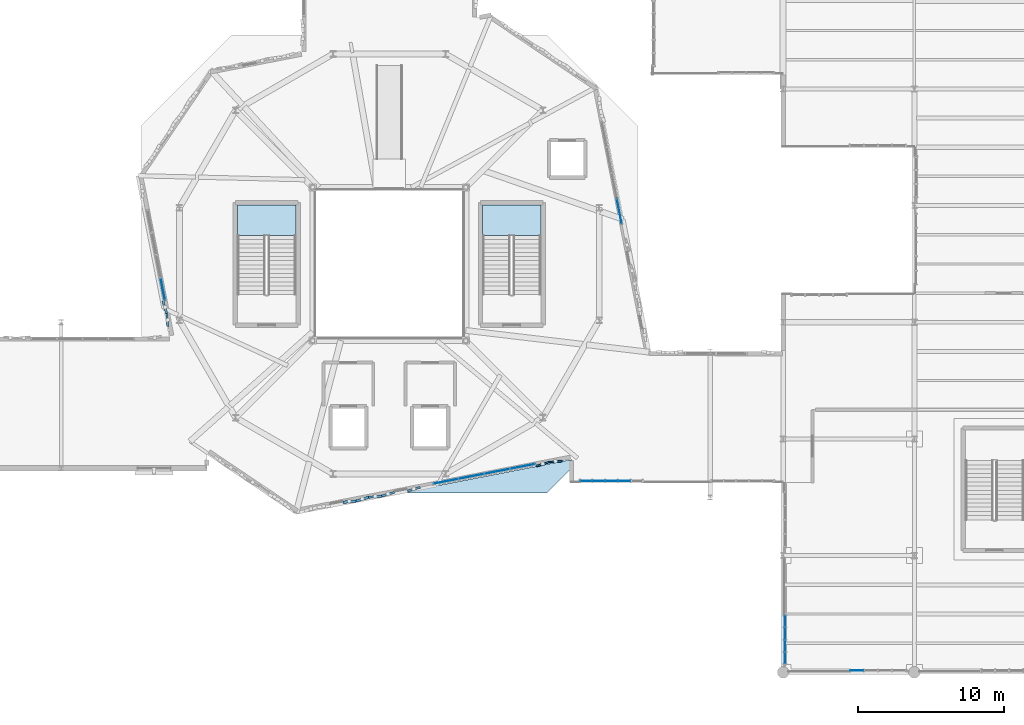
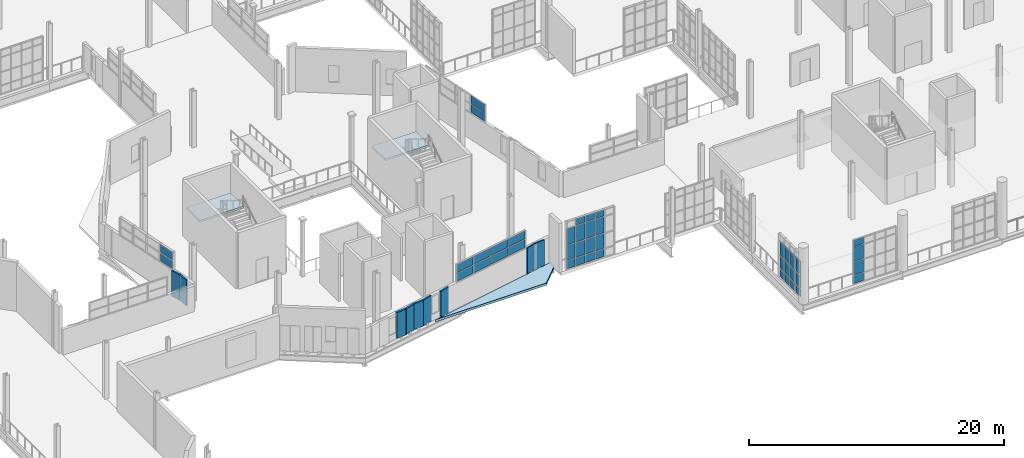
# One storey, part 105 of 142: 52 plates, 3 slabs, 8 elements without a shape of their own.
"""IFC4 building model written with IfcOpenShell, lengths in metres."""

from ifc_helpers import new_model, si_unit, direction, frame, frame_2d, origin, origin_2d, place, context, subcontext, project, spatial, polyline, rectangle, outline, extrude, material, layer, layer_set, type_object, element, aggregate, save


model = new_model("IFC4")

# Units and contexts
model_context = context("Model", 3, precision=1e-05, world=origin(), true_north=direction((0.0, 1.0)))
body_context = subcontext(model_context, "Body", "Model", "MODEL_VIEW")
ifc_project = project(units=[si_unit("LENGTHUNIT", "METRE"), si_unit("AREAUNIT", "SQUARE_METRE"), si_unit("VOLUMEUNIT", "CUBIC_METRE"), si_unit("PLANEANGLEUNIT", "RADIAN"), si_unit("MASSUNIT", "GRAM", prefix="KILO"), si_unit("THERMODYNAMICTEMPERATUREUNIT", "KELVIN"), si_unit("POWERUNIT", "WATT")], contexts=[model_context])

# Site, building, storey
site_placement = place(None, origin())
site = spatial("IfcSite", under=ifc_project, at=site_placement, CompositionType="ELEMENT")
building_placement = place(site_placement, origin())
building = spatial("IfcBuilding", under=site, at=building_placement, Name="Zelmaris Science Centre", CompositionType="ELEMENT")
storey_placement = place(building_placement, frame((0.0, 0.0, 5.39990234375)))
storey = spatial("IfcBuildingStorey", under=building, at=storey_placement, Name="L01", CompositionType="ELEMENT", Elevation=5.39990234375)

# Curtain wall, plates
ifc_material_1 = material(Name="Anodised architectural aluminium 6063-T6", Category="aluminium")
ifc_layer_1 = layer(ifc_material_1, 0.18994140625, Name="Anodised architectural aluminium 6063-T6")
ifc_layer_set_1 = layer_set([ifc_layer_1], Name="Anodised architectural aluminium 6063-T6")
curtain_wall_type_1 = type_object("IfcCurtainWallType", Name="Curtain Wall CW-01", PredefinedType="USERDEFINED", material=ifc_layer_set_1)
curtain_wall_1_placement = place(storey_placement, origin())
curtain_wall_1 = element("IfcCurtainWall", 1, at=curtain_wall_1_placement, inside=storey, type_object=curtain_wall_type_1, Name="L01 Unitised curtain wall 169", ObjectType="GLAZED CURTAIN WALL", PredefinedType="USERDEFINED")
ifc_material_2 = material(Name="Laminated hurricane-rated low-E insulated glazing", Category="glass")
ifc_layer_2 = layer(ifc_material_2, 0.031982421875, Name="Laminated hurricane-rated low-E insulated glazing")
ifc_layer_set_2 = layer_set([ifc_layer_2], Name="Laminated hurricane-rated low-E insulated glazing")
plate_type_1 = type_object("IfcPlateType", Name="Curtain Glazing Panel CWP-1 32mm", PredefinedType="CURTAIN_PANEL", material=ifc_layer_set_2)
plate_1_placement = place(storey_placement, frame((108.1201171875, 8.983154296875, 0.05712890625), z_axis=(0.0, 0.0, 1.0), x_axis=(-2.9412638e-05, 0.999999999567, 0.0)))
plate_1 = element("IfcPlate", 2, at=plate_1_placement, type_object=plate_type_1, Name="CW-01 panel 1.1", PredefinedType="CURTAIN_PANEL", context=body_context, shape_type="SweptSolid", body=[
    extrude(rectangle(XDim=0.741943359375, YDim=0.031982421875, at=origin_2d()), origin(), (0.0, 0.0, 1.0), 0.741943359375),
])
plate_2_placement = place(storey_placement, frame((108.1201171875, 8.983154296875, 0.87109375), z_axis=(0.0, 0.0, 1.0), x_axis=(-2.9412638e-05, 0.999999999567, 0.0)))
plate_2 = element("IfcPlate", 3, at=plate_2_placement, type_object=plate_type_1, Name="CW-01 panel 1.2", PredefinedType="CURTAIN_PANEL", context=body_context, shape_type="SweptSolid", body=[
    extrude(rectangle(XDim=0.741943359375, YDim=0.031982421875, at=origin_2d()), origin(), (0.0, 0.0, 1.0), 1.178466796875),
])
plate_3_placement = place(storey_placement, frame((108.1201171875, 8.983154296875, 2.12158203125), z_axis=(0.0, 0.0, 1.0), x_axis=(-2.9412638e-05, 0.999999999567, 0.0)))
plate_3 = element("IfcPlate", 4, at=plate_3_placement, type_object=plate_type_1, Name="CW-01 panel 1.3", PredefinedType="CURTAIN_PANEL", context=body_context, shape_type="SweptSolid", body=[
    extrude(rectangle(XDim=0.741943359375, YDim=0.031982421875, at=origin_2d()), origin(), (0.0, 0.0, 1.0), 1.32861328125),
])
plate_4_placement = place(storey_placement, frame((108.1201171875, 9.81494140625, 0.05712890625), z_axis=(0.0, 0.0, 1.0), x_axis=(-2.9412638e-05, 0.999999999567, 0.0)))
plate_4 = element("IfcPlate", 5, at=plate_4_placement, type_object=plate_type_1, Name="CW-01 panel 2.1", PredefinedType="CURTAIN_PANEL", context=body_context, shape_type="SweptSolid", body=[
    extrude(rectangle(XDim=0.778076171875, YDim=0.031982421875, at=origin_2d()), origin(), (0.0, 0.0, 1.0), 0.741943359375),
])
plate_5_placement = place(storey_placement, frame((108.1201171875, 9.81494140625, 0.87109375), z_axis=(0.0, 0.0, 1.0), x_axis=(-2.9412638e-05, 0.999999999567, 0.0)))
plate_5 = element("IfcPlate", 6, at=plate_5_placement, type_object=plate_type_1, Name="CW-01 panel 2.2", PredefinedType="CURTAIN_PANEL", context=body_context, shape_type="SweptSolid", body=[
    extrude(rectangle(XDim=0.778076171875, YDim=0.031982421875, at=origin_2d()), origin(), (0.0, 0.0, 1.0), 1.178466796875),
])
plate_6_placement = place(storey_placement, frame((108.1201171875, 9.81494140625, 2.12158203125), z_axis=(0.0, 0.0, 1.0), x_axis=(-2.9412638e-05, 0.999999999567, 0.0)))
plate_6 = element("IfcPlate", 7, at=plate_6_placement, type_object=plate_type_1, Name="CW-01 panel 2.3", PredefinedType="CURTAIN_PANEL", context=body_context, shape_type="SweptSolid", body=[
    extrude(rectangle(XDim=0.778076171875, YDim=0.031982421875, at=origin_2d()), origin(), (0.0, 0.0, 1.0), 1.32861328125),
])
plate_7_placement = place(storey_placement, frame((108.1201171875, 10.6650390625, 0.05712890625), z_axis=(0.0, 0.0, 1.0), x_axis=(-2.9412638e-05, 0.999999999567, 0.0)))
plate_7 = element("IfcPlate", 8, at=plate_7_placement, type_object=plate_type_1, Name="CW-01 panel 3.1", PredefinedType="CURTAIN_PANEL", context=body_context, shape_type="SweptSolid", body=[
    extrude(rectangle(XDim=0.778076171875, YDim=0.031982421875, at=origin_2d()), origin(), (0.0, 0.0, 1.0), 0.741943359375),
])
plate_8_placement = place(storey_placement, frame((108.1201171875, 10.6650390625, 0.87109375), z_axis=(0.0, 0.0, 1.0), x_axis=(-2.9412638e-05, 0.999999999567, 0.0)))
plate_8 = element("IfcPlate", 9, at=plate_8_placement, type_object=plate_type_1, Name="CW-01 panel 3.2", PredefinedType="CURTAIN_PANEL", context=body_context, shape_type="SweptSolid", body=[
    extrude(rectangle(XDim=0.778076171875, YDim=0.031982421875, at=origin_2d()), origin(), (0.0, 0.0, 1.0), 1.178466796875),
])
plate_9_placement = place(storey_placement, frame((108.1201171875, 10.6650390625, 2.12158203125), z_axis=(0.0, 0.0, 1.0), x_axis=(-2.9412638e-05, 0.999999999567, 0.0)))
plate_9 = element("IfcPlate", 10, at=plate_9_placement, type_object=plate_type_1, Name="CW-01 panel 3.3", PredefinedType="CURTAIN_PANEL", context=body_context, shape_type="SweptSolid", body=[
    extrude(rectangle(XDim=0.778076171875, YDim=0.031982421875, at=origin_2d()), origin(), (0.0, 0.0, 1.0), 1.32861328125),
])
plate_10_placement = place(storey_placement, frame((108.1201171875, 11.4970703125, 0.05712890625), z_axis=(0.0, 0.0, 1.0), x_axis=(-2.9412638e-05, 0.999999999567, 0.0)))
plate_10 = element("IfcPlate", 11, at=plate_10_placement, type_object=plate_type_1, Name="CW-01 panel 4.1", PredefinedType="CURTAIN_PANEL", context=body_context, shape_type="SweptSolid", body=[
    extrude(rectangle(XDim=0.741943359375, YDim=0.031982421875, at=origin_2d()), origin(), (0.0, 0.0, 1.0), 0.741943359375),
])
plate_11_placement = place(storey_placement, frame((108.1201171875, 11.4970703125, 0.87109375), z_axis=(0.0, 0.0, 1.0), x_axis=(-2.9412638e-05, 0.999999999567, 0.0)))
plate_11 = element("IfcPlate", 12, at=plate_11_placement, type_object=plate_type_1, Name="CW-01 panel 4.2", PredefinedType="CURTAIN_PANEL", context=body_context, shape_type="SweptSolid", body=[
    extrude(rectangle(XDim=0.741943359375, YDim=0.031982421875, at=origin_2d()), origin(), (0.0, 0.0, 1.0), 1.178466796875),
])
plate_12_placement = place(storey_placement, frame((108.1201171875, 11.4970703125, 2.12158203125), z_axis=(0.0, 0.0, 1.0), x_axis=(-2.9412638e-05, 0.999999999567, 0.0)))
plate_12 = element("IfcPlate", 13, at=plate_12_placement, type_object=plate_type_1, Name="CW-01 panel 4.3", PredefinedType="CURTAIN_PANEL", context=body_context, shape_type="SweptSolid", body=[
    extrude(rectangle(XDim=0.741943359375, YDim=0.031982421875, at=origin_2d()), origin(), (0.0, 0.0, 1.0), 1.32861328125),
])
aggregate(curtain_wall_1, [plate_1, plate_2, plate_3, plate_4, plate_5, plate_6, plate_7, plate_8, plate_9, plate_10, plate_11, plate_12])

curtain_wall_2_placement = place(storey_placement, origin())
curtain_wall_2 = element("IfcCurtainWall", 14, at=curtain_wall_2_placement, inside=storey, type_object=curtain_wall_type_1, Name="L01 Clerestory curtain wall 193", ObjectType="GLAZED CURTAIN WALL", PredefinedType="USERDEFINED")
plate_13_placement = place(storey_placement, frame((65.4765625, 34.258544921875, 2.4921875), z_axis=(0.0, 0.0, 1.0), x_axis=(-0.190802783202, 0.981628390952, 0.0)))
plate_13 = element("IfcPlate", 15, at=plate_13_placement, type_object=plate_type_1, Name="CW-01 panel 1.1", PredefinedType="CURTAIN_PANEL", context=body_context, shape_type="SweptSolid", body=[
    extrude(rectangle(XDim=1.4873046875, YDim=0.031982421875, at=origin_2d()), origin(), (0.0, 0.0, 1.0), 0.763916015625),
])
plate_14_placement = place(storey_placement, frame((65.4765625, 34.258544921875, 3.328125), z_axis=(0.0, 0.0, 1.0), x_axis=(-0.190802783202, 0.981628390952, 0.0)))
plate_14 = element("IfcPlate", 16, at=plate_14_placement, type_object=plate_type_1, Name="CW-01 panel 1.2", PredefinedType="CURTAIN_PANEL", context=body_context, shape_type="SweptSolid", body=[
    extrude(rectangle(XDim=1.4873046875, YDim=0.031982421875, at=origin_2d()), origin(), (0.0, 0.0, 1.0), 0.763916015625),
])
aggregate(curtain_wall_2, [plate_13, plate_14])

ifc_layer_3 = layer(ifc_material_1, 0.199951171875, Name="Anodised architectural aluminium 6063-T6")
ifc_layer_set_3 = layer_set([ifc_layer_3], Name="Anodised architectural aluminium 6063-T6")
curtain_wall_type_2 = type_object("IfcCurtainWallType", Name="Curtain Wall CW-02", PredefinedType="USERDEFINED", material=ifc_layer_set_3)
curtain_wall_3_placement = place(storey_placement, origin())
curtain_wall_3 = element("IfcCurtainWall", 17, at=curtain_wall_3_placement, inside=storey, type_object=curtain_wall_type_2, Name="L01 Unitised curtain wall 174", ObjectType="GLAZED CURTAIN WALL", PredefinedType="USERDEFINED")
ifc_layer_4 = layer(ifc_material_2, 0.028076171875, Name="Laminated hurricane-rated low-E insulated glazing")
ifc_layer_set_4 = layer_set([ifc_layer_4], Name="Laminated hurricane-rated low-E insulated glazing")
plate_type_2 = type_object("IfcPlateType", Name="Curtain Glazing Panel CWP-2 28mm", PredefinedType="CURTAIN_PANEL", material=ifc_layer_set_4)
plate_15_placement = place(storey_placement, frame((97.106689453125, 21.118896484375, 0.052001953125), z_axis=(0.0, 0.0, 1.0), x_axis=(-0.999999948938, 0.00031956903, 0.0)))
plate_15 = element("IfcPlate", 18, at=plate_15_placement, type_object=plate_type_2, Name="CW-02 panel 2.1", PredefinedType="CURTAIN_PANEL", context=body_context, shape_type="SweptSolid", body=[
    extrude(rectangle(XDim=0.80908203125, YDim=0.028076171875, at=origin_2d()), origin(), (0.0, 0.0, 1.0), 0.74951171875),
])
plate_16_placement = place(storey_placement, frame((97.106689453125, 21.118896484375, 0.86865234375), z_axis=(0.0, 0.0, 1.0), x_axis=(-0.999999948938, 0.00031956903, 0.0)))
plate_16 = element("IfcPlate", 19, at=plate_16_placement, type_object=plate_type_2, Name="CW-02 panel 2.2", PredefinedType="CURTAIN_PANEL", context=body_context, shape_type="SweptSolid", body=[
    extrude(rectangle(XDim=0.80908203125, YDim=0.028076171875, at=origin_2d()), origin(), (0.0, 0.0, 1.0), 1.400390625),
])
plate_17_placement = place(storey_placement, frame((97.106689453125, 21.118896484375, 2.3359375), z_axis=(0.0, 0.0, 1.0), x_axis=(-0.999999948938, 0.00031956903, 0.0)))
plate_17 = element("IfcPlate", 20, at=plate_17_placement, type_object=plate_type_2, Name="CW-02 panel 2.3", PredefinedType="CURTAIN_PANEL", context=body_context, shape_type="SweptSolid", body=[
    extrude(rectangle(XDim=0.80908203125, YDim=0.028076171875, at=origin_2d()), origin(), (0.0, 0.0, 1.0), 1.550537109375),
])
plate_18_placement = place(storey_placement, frame((97.106689453125, 21.118896484375, 3.95361328125), z_axis=(0.0, 0.0, 1.0), x_axis=(-0.999999948938, 0.00031956903, 0.0)))
plate_18 = element("IfcPlate", 21, at=plate_18_placement, type_object=plate_type_2, Name="CW-02 panel 2.4", PredefinedType="CURTAIN_PANEL", context=body_context, shape_type="SweptSolid", body=[
    extrude(rectangle(XDim=0.80908203125, YDim=0.028076171875, at=origin_2d()), origin(), (0.0, 0.0, 1.0), 0.599609375),
])
plate_19_placement = place(storey_placement, frame((96.23046875, 21.119140625, 0.052001953125), z_axis=(0.0, 0.0, 1.0), x_axis=(-0.999999948938, 0.00031956903, 0.0)))
plate_19 = element("IfcPlate", 22, at=plate_19_placement, type_object=plate_type_2, Name="CW-02 panel 3.1", PredefinedType="CURTAIN_PANEL", context=body_context, shape_type="SweptSolid", body=[
    extrude(rectangle(XDim=0.80908203125, YDim=0.028076171875, at=origin_2d()), origin(), (0.0, 0.0, 1.0), 0.74951171875),
])
plate_20_placement = place(storey_placement, frame((96.23046875, 21.119140625, 0.86865234375), z_axis=(0.0, 0.0, 1.0), x_axis=(-0.999999948938, 0.00031956903, 0.0)))
plate_20 = element("IfcPlate", 23, at=plate_20_placement, type_object=plate_type_2, Name="CW-02 panel 3.2", PredefinedType="CURTAIN_PANEL", context=body_context, shape_type="SweptSolid", body=[
    extrude(rectangle(XDim=0.80908203125, YDim=0.028076171875, at=origin_2d()), origin(), (0.0, 0.0, 1.0), 1.400390625),
])
plate_21_placement = place(storey_placement, frame((96.23046875, 21.119140625, 2.3359375), z_axis=(0.0, 0.0, 1.0), x_axis=(-0.999999948938, 0.00031956903, 0.0)))
plate_21 = element("IfcPlate", 24, at=plate_21_placement, type_object=plate_type_2, Name="CW-02 panel 3.3", PredefinedType="CURTAIN_PANEL", context=body_context, shape_type="SweptSolid", body=[
    extrude(rectangle(XDim=0.80908203125, YDim=0.028076171875, at=origin_2d()), origin(), (0.0, 0.0, 1.0), 1.550537109375),
])
plate_22_placement = place(storey_placement, frame((96.23046875, 21.119140625, 3.95361328125), z_axis=(0.0, 0.0, 1.0), x_axis=(-0.999999948938, 0.00031956903, 0.0)))
plate_22 = element("IfcPlate", 25, at=plate_22_placement, type_object=plate_type_2, Name="CW-02 panel 3.4", PredefinedType="CURTAIN_PANEL", context=body_context, shape_type="SweptSolid", body=[
    extrude(rectangle(XDim=0.80908203125, YDim=0.028076171875, at=origin_2d()), origin(), (0.0, 0.0, 1.0), 0.599609375),
])
plate_23_placement = place(storey_placement, frame((95.354248046875, 21.119384765625, 0.052001953125), z_axis=(0.0, 0.0, 1.0), x_axis=(-0.999999948938, 0.00031956903, 0.0)))
plate_23 = element("IfcPlate", 26, at=plate_23_placement, type_object=plate_type_2, Name="CW-02 panel 4.1", PredefinedType="CURTAIN_PANEL", context=body_context, shape_type="SweptSolid", body=[
    extrude(rectangle(XDim=0.80908203125, YDim=0.028076171875, at=origin_2d()), origin(), (0.0, 0.0, 1.0), 0.74951171875),
])
plate_24_placement = place(storey_placement, frame((95.354248046875, 21.119384765625, 0.86865234375), z_axis=(0.0, 0.0, 1.0), x_axis=(-0.999999948938, 0.00031956903, 0.0)))
plate_24 = element("IfcPlate", 27, at=plate_24_placement, type_object=plate_type_2, Name="CW-02 panel 4.2", PredefinedType="CURTAIN_PANEL", context=body_context, shape_type="SweptSolid", body=[
    extrude(rectangle(XDim=0.80908203125, YDim=0.028076171875, at=origin_2d()), origin(), (0.0, 0.0, 1.0), 1.400390625),
])
plate_25_placement = place(storey_placement, frame((95.354248046875, 21.119384765625, 2.3359375), z_axis=(0.0, 0.0, 1.0), x_axis=(-0.999999948938, 0.00031956903, 0.0)))
plate_25 = element("IfcPlate", 28, at=plate_25_placement, type_object=plate_type_2, Name="CW-02 panel 4.3", PredefinedType="CURTAIN_PANEL", context=body_context, shape_type="SweptSolid", body=[
    extrude(rectangle(XDim=0.80908203125, YDim=0.028076171875, at=origin_2d()), origin(), (0.0, 0.0, 1.0), 1.550537109375),
])
plate_26_placement = place(storey_placement, frame((95.354248046875, 21.119384765625, 3.95361328125), z_axis=(0.0, 0.0, 1.0), x_axis=(-0.999999948938, 0.00031956903, 0.0)))
plate_26 = element("IfcPlate", 29, at=plate_26_placement, type_object=plate_type_2, Name="CW-02 panel 4.4", PredefinedType="CURTAIN_PANEL", context=body_context, shape_type="SweptSolid", body=[
    extrude(rectangle(XDim=0.80908203125, YDim=0.028076171875, at=origin_2d()), origin(), (0.0, 0.0, 1.0), 0.599609375),
])
plate_27_placement = place(storey_placement, frame((94.494873046875, 21.119873046875, 0.052001953125), z_axis=(0.0, 0.0, 1.0), x_axis=(-0.999999948938, 0.00031956903, 0.0)))
plate_27 = element("IfcPlate", 30, at=plate_27_placement, type_object=plate_type_2, Name="CW-02 panel 5.1", PredefinedType="CURTAIN_PANEL", context=body_context, shape_type="SweptSolid", body=[
    extrude(rectangle(XDim=0.775634765625, YDim=0.028076171875, at=origin_2d()), origin(), (0.0, 0.0, 1.0), 0.74951171875),
])
plate_28_placement = place(storey_placement, frame((94.494873046875, 21.119873046875, 0.86865234375), z_axis=(0.0, 0.0, 1.0), x_axis=(-0.999999948938, 0.00031956903, 0.0)))
plate_28 = element("IfcPlate", 31, at=plate_28_placement, type_object=plate_type_2, Name="CW-02 panel 5.2", PredefinedType="CURTAIN_PANEL", context=body_context, shape_type="SweptSolid", body=[
    extrude(rectangle(XDim=0.775634765625, YDim=0.028076171875, at=origin_2d()), origin(), (0.0, 0.0, 1.0), 1.400390625),
])
plate_29_placement = place(storey_placement, frame((94.494873046875, 21.119873046875, 2.3359375), z_axis=(0.0, 0.0, 1.0), x_axis=(-0.999999948938, 0.00031956903, 0.0)))
plate_29 = element("IfcPlate", 32, at=plate_29_placement, type_object=plate_type_2, Name="CW-02 panel 5.3", PredefinedType="CURTAIN_PANEL", context=body_context, shape_type="SweptSolid", body=[
    extrude(rectangle(XDim=0.775634765625, YDim=0.028076171875, at=origin_2d()), origin(), (0.0, 0.0, 1.0), 1.550537109375),
])
aggregate(curtain_wall_3, [plate_15, plate_16, plate_17, plate_18, plate_19, plate_20, plate_21, plate_22, plate_23, plate_24, plate_25, plate_26, plate_27, plate_28, plate_29])

ifc_layer_5 = layer(ifc_material_1, 0.2099609375, Name="Anodised architectural aluminium 6063-T6")
ifc_layer_set_5 = layer_set([ifc_layer_5], Name="Anodised architectural aluminium 6063-T6")
curtain_wall_type_3 = type_object("IfcCurtainWallType", Name="Curtain Wall CW-03", PredefinedType="USERDEFINED", material=ifc_layer_set_5)
curtain_wall_4_placement = place(storey_placement, origin())
curtain_wall_4 = element("IfcCurtainWall", 33, at=curtain_wall_4_placement, inside=storey, type_object=curtain_wall_type_3, Name="L01 Unitised curtain wall 167", ObjectType="GLAZED CURTAIN WALL", PredefinedType="USERDEFINED")
ifc_layer_6 = layer(ifc_material_2, 0.02587890625, Name="Laminated hurricane-rated low-E insulated glazing")
ifc_layer_set_6 = layer_set([ifc_layer_6], Name="Laminated hurricane-rated low-E insulated glazing")
plate_type_3 = type_object("IfcPlateType", Name="Curtain Glazing Panel CWP-3 26mm", PredefinedType="CURTAIN_PANEL", material=ifc_layer_set_6)
plate_30_placement = place(storey_placement, frame((113.061767578125, 8.1201171875, 0.0419921875), z_axis=(0.0, 0.0, 1.0), x_axis=(-1.0, 0.0, 0.0)))
plate_30 = element("IfcPlate", 34, at=plate_30_placement, type_object=plate_type_3, Name="CW-03 panel 4.1", PredefinedType="CURTAIN_PANEL", context=body_context, shape_type="SweptSolid", body=[
    extrude(rectangle(XDim=0.889404296875, YDim=0.02587890625, at=origin_2d()), origin(), (0.0, 0.0, 1.0), 0.764404296875),
])
plate_31_placement = place(storey_placement, frame((113.061767578125, 8.1201171875, 0.86376953125), z_axis=(0.0, 0.0, 1.0), x_axis=(-1.0, 0.0, 0.0)))
plate_31 = element("IfcPlate", 35, at=plate_31_placement, type_object=plate_type_3, Name="CW-03 panel 4.2", PredefinedType="CURTAIN_PANEL", context=body_context, shape_type="SweptSolid", body=[
    extrude(rectangle(XDim=0.889404296875, YDim=0.02587890625, at=origin_2d()), origin(), (0.0, 0.0, 1.0), 1.223388671875),
])
plate_32_placement = place(storey_placement, frame((113.061767578125, 8.1201171875, 2.14404296875), z_axis=(0.0, 0.0, 1.0), x_axis=(-1.0, 0.0, 0.0)))
plate_32 = element("IfcPlate", 36, at=plate_32_placement, type_object=plate_type_3, Name="CW-03 panel 4.3", PredefinedType="CURTAIN_PANEL", context=body_context, shape_type="SweptSolid", body=[
    extrude(rectangle(XDim=0.889404296875, YDim=0.02587890625, at=origin_2d()), origin(), (0.0, 0.0, 1.0), 1.37353515625),
])
plate_33_placement = place(storey_placement, frame((113.061767578125, 8.1201171875, 3.57470703125), z_axis=(0.0, 0.0, 1.0), x_axis=(-1.0, 0.0, 0.0)))
plate_33 = element("IfcPlate", 37, at=plate_33_placement, type_object=plate_type_3, Name="CW-03 panel 4.4", PredefinedType="CURTAIN_PANEL", context=body_context, shape_type="SweptSolid", body=[
    extrude(rectangle(XDim=0.889404296875, YDim=0.02587890625, at=origin_2d()), origin(), (0.0, 0.0, 1.0), 0.614501953125),
])
aggregate(curtain_wall_4, [plate_30, plate_31, plate_32, plate_33])

curtain_wall_5_placement = place(storey_placement, origin())
curtain_wall_5 = element("IfcCurtainWall", 38, at=curtain_wall_5_placement, inside=storey, type_object=curtain_wall_type_3, Name="L01 Clerestory curtain wall 175", ObjectType="GLAZED CURTAIN WALL", PredefinedType="USERDEFINED")
plate_34_placement = place(storey_placement, frame((90.150390625, 22.11865234375, 2.47705078125), z_axis=(0.0, 0.0, 1.0), x_axis=(-0.981630500843, -0.190791928065, 0.0)))
plate_34 = element("IfcPlate", 39, at=plate_34_placement, type_object=plate_type_3, Name="CW-03 panel 1.1", PredefinedType="CURTAIN_PANEL", context=body_context, shape_type="SweptSolid", body=[
    extrude(rectangle(XDim=1.714599609375, YDim=0.02587890625, at=origin_2d()), origin(), (0.0, 0.0, 1.0), 0.781494140625),
])
plate_35_placement = place(storey_placement, frame((90.150390625, 22.11865234375, 3.3154296875), z_axis=(0.0, 0.0, 1.0), x_axis=(-0.981630500843, -0.190791928065, 0.0)))
plate_35 = element("IfcPlate", 40, at=plate_35_placement, type_object=plate_type_3, Name="CW-03 panel 1.2", PredefinedType="CURTAIN_PANEL", context=body_context, shape_type="SweptSolid", body=[
    extrude(rectangle(XDim=1.714599609375, YDim=0.02587890625, at=origin_2d()), origin(), (0.0, 0.0, 1.0), 0.781494140625),
])
plate_36_placement = place(storey_placement, frame((88.3974609375, 21.77783203125, 2.47705078125), z_axis=(0.0, 0.0, 1.0), x_axis=(-0.981630500843, -0.190791928065, 0.0)))
plate_36 = element("IfcPlate", 41, at=plate_36_placement, type_object=plate_type_3, Name="CW-03 panel 2.1", PredefinedType="CURTAIN_PANEL", context=body_context, shape_type="SweptSolid", body=[
    extrude(rectangle(XDim=1.742919921875, YDim=0.02587890625, at=origin_2d()), origin(), (0.0, 0.0, 1.0), 0.781494140625),
])
plate_37_placement = place(storey_placement, frame((88.3974609375, 21.77783203125, 3.3154296875), z_axis=(0.0, 0.0, 1.0), x_axis=(-0.981630500843, -0.190791928065, 0.0)))
plate_37 = element("IfcPlate", 42, at=plate_37_placement, type_object=plate_type_3, Name="CW-03 panel 2.2", PredefinedType="CURTAIN_PANEL", context=body_context, shape_type="SweptSolid", body=[
    extrude(rectangle(XDim=1.742919921875, YDim=0.02587890625, at=origin_2d()), origin(), (0.0, 0.0, 1.0), 0.781494140625),
])
plate_38_placement = place(storey_placement, frame((86.630615234375, 21.434326171875, 2.47705078125), z_axis=(0.0, 0.0, 1.0), x_axis=(-0.981630500843, -0.190791928065, 0.0)))
plate_38 = element("IfcPlate", 43, at=plate_38_placement, type_object=plate_type_3, Name="CW-03 panel 3.1", PredefinedType="CURTAIN_PANEL", context=body_context, shape_type="SweptSolid", body=[
    extrude(rectangle(XDim=1.742919921875, YDim=0.02587890625, at=origin_2d()), origin(), (0.0, 0.0, 1.0), 0.781494140625),
])
plate_39_placement = place(storey_placement, frame((86.630615234375, 21.434326171875, 3.3154296875), z_axis=(0.0, 0.0, 1.0), x_axis=(-0.981630500843, -0.190791928065, 0.0)))
plate_39 = element("IfcPlate", 44, at=plate_39_placement, type_object=plate_type_3, Name="CW-03 panel 3.2", PredefinedType="CURTAIN_PANEL", context=body_context, shape_type="SweptSolid", body=[
    extrude(rectangle(XDim=1.742919921875, YDim=0.02587890625, at=origin_2d()), origin(), (0.0, 0.0, 1.0), 0.781494140625),
])
plate_40_placement = place(storey_placement, frame((84.877685546875, 21.09375, 2.47705078125), z_axis=(0.0, 0.0, 1.0), x_axis=(-0.981630500843, -0.190791928065, 0.0)))
plate_40 = element("IfcPlate", 45, at=plate_40_placement, type_object=plate_type_3, Name="CW-03 panel 4.1", PredefinedType="CURTAIN_PANEL", context=body_context, shape_type="SweptSolid", body=[
    extrude(rectangle(XDim=1.714599609375, YDim=0.02587890625, at=origin_2d()), origin(), (0.0, 0.0, 1.0), 0.781494140625),
])
plate_41_placement = place(storey_placement, frame((84.877685546875, 21.09375, 3.3154296875), z_axis=(0.0, 0.0, 1.0), x_axis=(-0.981630500843, -0.190791928065, 0.0)))
plate_41 = element("IfcPlate", 46, at=plate_41_placement, type_object=plate_type_3, Name="CW-03 panel 4.2", PredefinedType="CURTAIN_PANEL", context=body_context, shape_type="SweptSolid", body=[
    extrude(rectangle(XDim=1.714599609375, YDim=0.02587890625, at=origin_2d()), origin(), (0.0, 0.0, 1.0), 0.781494140625),
])
aggregate(curtain_wall_5, [plate_34, plate_35, plate_36, plate_37, plate_38, plate_39, plate_40, plate_41])

ifc_layer_7 = layer(ifc_material_1, 0.219970703125, Name="Anodised architectural aluminium 6063-T6")
ifc_layer_set_7 = layer_set([ifc_layer_7], Name="Anodised architectural aluminium 6063-T6")
curtain_wall_type_4 = type_object("IfcCurtainWallType", Name="Curtain Wall CW-04", PredefinedType="USERDEFINED", material=ifc_layer_set_7)
curtain_wall_6_placement = place(storey_placement, origin())
curtain_wall_6 = element("IfcCurtainWall", 47, at=curtain_wall_6_placement, inside=storey, type_object=curtain_wall_type_4, Name="L01 Clerestory curtain wall 176", ObjectType="GLAZED CURTAIN WALL", PredefinedType="USERDEFINED")
ifc_layer_8 = layer(ifc_material_2, 0.02392578125, Name="Laminated hurricane-rated low-E insulated glazing")
ifc_layer_set_8 = layer_set([ifc_layer_8], Name="Laminated hurricane-rated low-E insulated glazing")
plate_type_4 = type_object("IfcPlateType", Name="Curtain Glazing Panel CWP-4 24mm", PredefinedType="CURTAIN_PANEL", material=ifc_layer_set_8)
plate_42_placement = place(storey_placement, frame((96.76953125, 39.60595703125, 2.47216796875), z_axis=(0.0, 0.0, 1.0), x_axis=(0.191750324162, -0.981443739184, 0.0)))
plate_42 = element("IfcPlate", 48, at=plate_42_placement, type_object=plate_type_4, Name="CW-04 panel 4.1", PredefinedType="CURTAIN_PANEL", context=body_context, shape_type="SweptSolid", body=[
    extrude(rectangle(XDim=1.721923828125, YDim=0.02392578125, at=origin_2d()), origin(), (0.0, 0.0, 1.0), 0.79150390625),
])
plate_43_placement = place(storey_placement, frame((96.76953125, 39.60595703125, 3.315673828125), z_axis=(0.0, 0.0, 1.0), x_axis=(0.191750324162, -0.981443739184, 0.0)))
plate_43 = element("IfcPlate", 49, at=plate_43_placement, type_object=plate_type_4, Name="CW-04 panel 4.2", PredefinedType="CURTAIN_PANEL", context=body_context, shape_type="SweptSolid", body=[
    extrude(rectangle(XDim=1.721923828125, YDim=0.02392578125, at=origin_2d()), origin(), (0.0, 0.0, 1.0), 0.79150390625),
])
aggregate(curtain_wall_6, [plate_42, plate_43])

# Plates
ifc_material_3 = material(Name="Precast concrete C40/50", Category="concrete")
ifc_layer_9 = layer(ifc_material_3, 0.1201171875, Name="Precast concrete C40/50")
ifc_layer_set_9 = layer_set([ifc_layer_9], Name="Precast concrete C40/50")
plate_type_5 = type_object("IfcPlateType", Name="Precast Facet Panel FP-02 120mm", PredefinedType="SHEET", material=ifc_layer_set_9)
plate_44_placement = place(storey_placement, frame((92.8544921875, 22.48974609375, 0.02001953125), z_axis=(0.0, 0.0, 1.0), x_axis=(-0.995906465618, -0.090389776749, 0.0)))
element("IfcPlate", 50, at=plate_44_placement, inside=storey, type_object=plate_type_5, Name="L01 Folded precast facet panel 1", PredefinedType="SHEET", context=body_context, shape_type="SweptSolid", body=[
    extrude(rectangle(XDim=0.90478515625, YDim=0.1201171875, at=frame_2d((0.452392578125, 0.0))), origin(), (0.0, 0.0, 1.0), 2.4599609375),
])
ifc_layer_10 = layer(ifc_material_3, 0.1298828125, Name="Precast concrete C40/50")
ifc_layer_set_10 = layer_set([ifc_layer_10], Name="Precast concrete C40/50")
plate_type_6 = type_object("IfcPlateType", Name="Precast Facet Panel FP-03 130mm", PredefinedType="SHEET", material=ifc_layer_set_10)
plate_45_placement = place(storey_placement, frame((91.953369140625, 22.407958984375, 0.02001953125), z_axis=(0.0, 0.0, 1.0), x_axis=(-0.957237501273, -0.289303242561, 0.0)))
element("IfcPlate", 51, at=plate_45_placement, inside=storey, type_object=plate_type_6, Name="L01 Folded precast facet panel 2", PredefinedType="SHEET", context=body_context, shape_type="SweptSolid", body=[
    extrude(rectangle(XDim=0.904541015625, YDim=0.1298828125, at=frame_2d((0.4521484375, 0.0))), origin(), (0.0, 0.0, 1.0), 2.4599609375),
])
ifc_layer_11 = layer(ifc_material_3, 0.139892578125, Name="Precast concrete C40/50")
ifc_layer_set_11 = layer_set([ifc_layer_11], Name="Precast concrete C40/50")
plate_type_7 = type_object("IfcPlateType", Name="Precast Facet Panel FP-04 140mm", PredefinedType="SHEET", material=ifc_layer_set_11)
for number, where, z_axis, x_axis, name in (
    (52, (83.118896484375, 20.69091796875, 0.02001953125), (0.0, 0.0, 1.0), (-0.957260079865, -0.289228524694, 0.0), "L01 Folded precast facet panel 3"),
    (53, (65.819091796875, 31.70166015625, 0.02001953125), (0.0, 0.0, 1.0), (-0.090389776749, 0.995906465618, 0.0), "L01 Folded precast facet panel 39"),
):
    element("IfcPlate", number, at=place(storey_placement, frame(where, z_axis=z_axis, x_axis=x_axis)), inside=storey, type_object=plate_type_7, Name=name, PredefinedType="SHEET", context=body_context, shape_type="SweptSolid", body=[
        extrude(rectangle(XDim=0.90478515625, YDim=0.139892578125, at=frame_2d((0.452392578125, 0.0))), origin(), (0.0, 0.0, 1.0), 2.4599609375),
    ])
ifc_layer_12 = layer(ifc_material_3, 0.14990234375, Name="Precast concrete C40/50")
ifc_layer_set_12 = layer_set([ifc_layer_12], Name="Precast concrete C40/50")
plate_type_8 = type_object("IfcPlateType", Name="Precast Facet Panel FP-05 150mm", PredefinedType="SHEET", material=ifc_layer_set_12)
for number, where, z_axis, x_axis, name in (
    (54, (81.351806640625, 20.347412109375, 0.02001953125), (0.0, 0.0, 1.0), (-0.957237501273, -0.289303242561, 0.0), "L01 Folded precast facet panel 4"),
    (55, (65.7373046875, 32.602783203125, 0.02001953125), (0.0, 0.0, 1.0), (-0.289303242561, 0.957237501273, 0.0), "L01 Folded precast facet panel 40"),
):
    element("IfcPlate", number, at=place(storey_placement, frame(where, z_axis=z_axis, x_axis=x_axis)), inside=storey, type_object=plate_type_8, Name=name, PredefinedType="SHEET", context=body_context, shape_type="SweptSolid", body=[
        extrude(rectangle(XDim=0.904541015625, YDim=0.14990234375, at=frame_2d((0.4521484375, 0.0))), origin(), (0.0, 0.0, 1.0), 2.4599609375),
    ])
ifc_layer_13 = layer(ifc_material_3, 0.159912109375, Name="Precast concrete C40/50")
ifc_layer_set_13 = layer_set([ifc_layer_13], Name="Precast concrete C40/50")
plate_type_9 = type_object("IfcPlateType", Name="Precast Facet Panel FP-06 160mm", PredefinedType="SHEET", material=ifc_layer_set_13)
plate_46_placement = place(storey_placement, frame((80.48583984375, 20.085693359375, 0.02001953125), z_axis=(0.0, 0.0, 1.0), x_axis=(-0.995904260213, -0.090414072404, 0.0)))
element("IfcPlate", 56, at=plate_46_placement, inside=storey, type_object=plate_type_9, Name="L01 Folded precast facet panel 5", PredefinedType="SHEET", context=body_context, shape_type="SweptSolid", body=[
    extrude(rectangle(XDim=0.904541015625, YDim=0.159912109375, at=frame_2d((0.4521484375, 0.0))), origin(), (0.0, 0.0, 1.0), 2.4599609375),
])
ifc_layer_14 = layer(ifc_material_3, 0.169921875, Name="Precast concrete C40/50")
ifc_layer_set_14 = layer_set([ifc_layer_14], Name="Precast concrete C40/50")
plate_type_10 = type_object("IfcPlateType", Name="Precast Facet Panel FP-07 170mm", PredefinedType="SHEET", material=ifc_layer_set_14)
plate_47_placement = place(storey_placement, frame((79.5849609375, 20.00390625, 0.02001953125), z_axis=(0.0, 0.0, 1.0), x_axis=(-0.957237501273, -0.289303242561, 0.0)))
element("IfcPlate", 57, at=plate_47_placement, inside=storey, type_object=plate_type_10, Name="L01 Folded precast facet panel 6", PredefinedType="SHEET", context=body_context, shape_type="SweptSolid", body=[
    extrude(rectangle(XDim=0.904541015625, YDim=0.169921875, at=frame_2d((0.4521484375, 0.0))), origin(), (0.0, 0.0, 1.0), 2.4599609375),
])
ifc_layer_15 = layer(ifc_material_3, 0.179931640625, Name="Precast concrete C40/50")
ifc_layer_set_15 = layer_set([ifc_layer_15], Name="Precast concrete C40/50")
plate_type_11 = type_object("IfcPlateType", Name="Precast Facet Panel FP-08 180mm", PredefinedType="SHEET", material=ifc_layer_set_15)
plate_48_placement = place(storey_placement, frame((78.718994140625, 19.7421875, 0.02001953125), z_axis=(0.0, 0.0, 1.0), x_axis=(-0.995904260213, -0.090414072404, 0.0)))
element("IfcPlate", 58, at=plate_48_placement, inside=storey, type_object=plate_type_11, Name="L01 Folded precast facet panel 7", PredefinedType="SHEET", context=body_context, shape_type="SweptSolid", body=[
    extrude(rectangle(XDim=0.904541015625, YDim=0.179931640625, at=frame_2d((0.4521484375, 0.0))), origin(), (0.0, 0.0, 1.0), 2.4599609375),
])

# Stair, slab
ifc_material_4 = material(Name="Concrete C40/50", Category="concrete")
stair_type = type_object("IfcStairType", Name="Exit Stair ST-A W1900", PredefinedType="HALF_TURN_STAIR", material=ifc_material_4)
stair_1_placement = place(storey_placement, origin())
stair_1 = element("IfcStair", 59, at=stair_1_placement, inside=storey, type_object=stair_type, Name="L01 Exit Stair Core ST-1", PredefinedType="HALF_TURN_STAIR")
ifc_material_5 = material(Name="Concrete C35/45", Category="concrete")
ifc_layer_16 = layer(ifc_material_5, 0.18994140625, Name="Concrete C35/45")
ifc_layer_set_16 = layer_set([ifc_layer_16], Name="Concrete C35/45")
slab_type_1 = type_object("IfcSlabType", Name="Slab SL-LD190 190mm", PredefinedType="LANDING", material=ifc_layer_set_16)
slab_1_placement = place(storey_placement, frame((0.0, 0.0, 2.510009765625)))
slab_1 = element("IfcSlab", 60, at=slab_1_placement, type_object=slab_type_1, Name="ST-1 landing 1", PredefinedType="LANDING", context=body_context, shape_type="SweptSolid", body=[
    extrude(outline(polyline([(74.60009765625, 37.9599609375), (74.60009765625, 40.050048828125), (70.60009765625, 40.050048828125), (70.60009765625, 37.9599609375), (74.60009765625, 37.9599609375)])), origin(), (0.0, 0.0, 1.0), 0.190185546875),
])
aggregate(stair_1, [slab_1])

stair_2_placement = place(storey_placement, origin())
stair_2 = element("IfcStair", 61, at=stair_2_placement, inside=storey, type_object=stair_type, Name="L01 Exit Stair Core ST-2", PredefinedType="HALF_TURN_STAIR")
slab_2_placement = place(storey_placement, frame((0.0, 0.0, 2.510009765625)))
slab_2 = element("IfcSlab", 62, at=slab_2_placement, type_object=slab_type_1, Name="ST-2 landing 1", PredefinedType="LANDING", context=body_context, shape_type="SweptSolid", body=[
    extrude(outline(polyline([(91.39990234375, 37.9599609375), (91.39990234375, 40.050048828125), (87.39990234375, 40.050048828125), (87.39990234375, 37.9599609375), (91.39990234375, 37.9599609375)])), origin(), (0.0, 0.0, 1.0), 0.190185546875),
])
aggregate(stair_2, [slab_2])

# Slab
ifc_layer_17 = layer(ifc_material_5, 0.219970703125, Name="Concrete C35/45")
ifc_layer_set_17 = layer_set([ifc_layer_17], Name="Concrete C35/45")
slab_type_2 = type_object("IfcSlabType", Name="Slab SL-RF220 220mm", PredefinedType="ROOF", material=ifc_layer_set_17)
slab_3_placement = place(storey_placement, frame((0.0, 0.0, -0.219970703125)))
element("IfcSlab", 63, at=slab_3_placement, inside=storey, type_object=slab_type_2, Name="L01 Exhibition setback cornice roof 3", PredefinedType="ROOF", context=body_context, shape_type="SweptSolid", body=[
    extrude(outline(polyline([(81.73681640625, 20.300048828125), (93.47998046875, 22.58251953125), (93.47998046875, 21.97998046875), (91.800048828125, 20.300048828125), (81.73681640625, 20.300048828125)])), origin(), (0.0, 0.0, 1.0), 0.219970703125),
])

save(model, "model.ifc")
